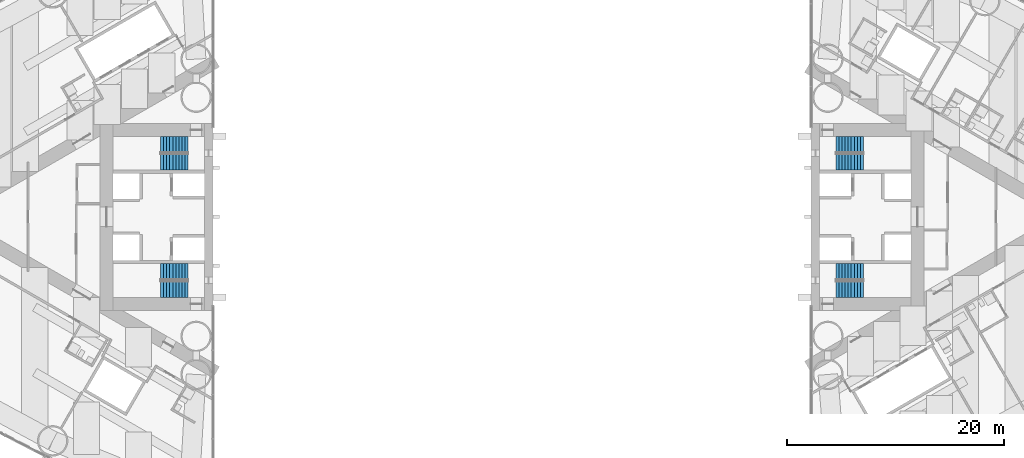
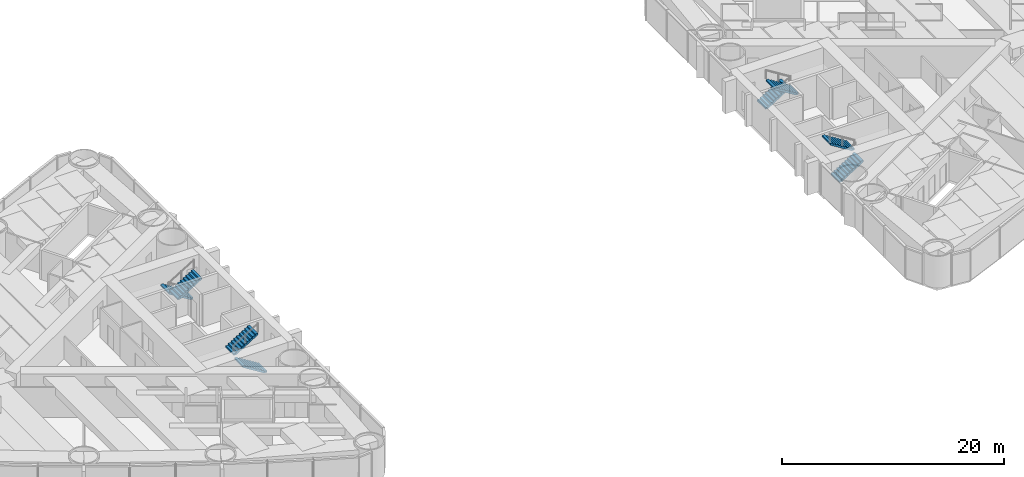
# One storey, part 16 of 18: 8 stair flights, 4 elements without a shape of their own.
"""IFC4 building model written with IfcOpenShell, lengths in metres."""

from ifc_helpers import new_model, si_unit, direction, frame, origin, place, context, subcontext, project, spatial, polyline, outline, extrude, material, type_object, element, aggregate, save


model = new_model("IFC4")

# Units and contexts
model_context = context("Model", 3, precision=1e-05, world=origin(), true_north=direction((0.0, 1.0)))
body_context = subcontext(model_context, "Body", "Model", "MODEL_VIEW")
ifc_project = project(units=[si_unit("LENGTHUNIT", "METRE"), si_unit("AREAUNIT", "SQUARE_METRE"), si_unit("VOLUMEUNIT", "CUBIC_METRE"), si_unit("PLANEANGLEUNIT", "RADIAN"), si_unit("MASSUNIT", "GRAM", prefix="KILO")], contexts=[model_context])

# Site, building, storey
site_placement = place(None, origin())
site = spatial("IfcSite", under=ifc_project, at=site_placement, CompositionType="ELEMENT")
building_placement = place(site_placement, origin())
building = spatial("IfcBuilding", under=site, at=building_placement, Name="Lancet Gate Hotel", CompositionType="ELEMENT")
storey_placement = place(building_placement, frame((0.0, 0.0, 46.0)))
storey = spatial("IfcBuildingStorey", under=building, at=storey_placement, Name="L11", CompositionType="ELEMENT", Elevation=46.0)

# Stair, stair flights
ifc_material_1 = material(Name="Exit stair 20 risers 1500")
stair_type = type_object("IfcStairType", Name="Exit stair 20 risers 1500", PredefinedType="HALF_TURN_STAIR", material=ifc_material_1)
stair_1_placement = place(storey_placement, origin())
stair_1 = element("IfcStair", 1, at=stair_1_placement, inside=storey, type_object=stair_type, Name="T1 stair 1 L11", PredefinedType="HALF_TURN_STAIR")
ifc_material_2 = material(Name="Stair flight 10 risers 175 rise 1500")
stair_flight_type = type_object("IfcStairFlightType", Name="Stair flight 10 risers 175 rise 1500", PredefinedType="STRAIGHT", material=ifc_material_2)
stair_flight_1_placement = place(storey_placement, frame((-29.800048828125, 6.64990234375, 0.0), z_axis=(0.0, 0.0, 1.0), x_axis=(-1.0, 0.0, 0.0)))
stair_flight_1 = element("IfcStairFlight", 2, at=stair_flight_1_placement, type_object=stair_flight_type, Name="ST1 flight 1", NumberOfRisers=10, NumberOfTreads=9, PredefinedType="STRAIGHT", RiserHeight=0.175, TreadLength=0.28, context=body_context, shape_type="SweptSolid", body=[
    extrude(outline(polyline([(0.0, 0.0), (0.0, 0.175048828125), (0.280029296875, 0.175048828125), (0.280029296875, 0.35009765625), (0.56005859375, 0.35009765625), (0.56005859375, 0.52490234375), (0.840087890625, 0.52490234375), (0.840087890625, 0.699951171875), (1.1201171875, 0.699951171875), (1.1201171875, 0.875), (1.39990234375, 0.875), (1.39990234375, 1.050048828125), (1.679931640625, 1.050048828125), (1.679931640625, 1.22509765625), (1.9599609375, 1.22509765625), (1.9599609375, 1.39990234375), (2.239990234375, 1.39990234375), (2.239990234375, 1.574951171875), (2.52001953125, 1.574951171875), (2.52001953125, 1.75), (2.52001953125, 1.398193359375), (0.28271484375, 0.0), (0.0, 0.0)])), frame((0.0, 0.75, 0.0), z_axis=(0.0, -1.0, 0.0), x_axis=(1.0, 0.0, 0.0)), (0.0, 0.0, 1.0), 1.5),
])
stair_flight_2_placement = place(storey_placement, frame((-32.320068359375, 5.050048828125, 1.75), z_axis=(0.0, 0.0, 1.0), x_axis=(1.0, 0.0, 0.0)))
stair_flight_2 = element("IfcStairFlight", 3, at=stair_flight_2_placement, type_object=stair_flight_type, Name="ST1 flight 2", NumberOfRisers=10, NumberOfTreads=9, PredefinedType="STRAIGHT", RiserHeight=0.175, TreadLength=0.28, context=body_context, shape_type="SweptSolid", body=[
    extrude(outline(polyline([(0.0, 0.0), (0.0, 0.175048828125), (0.280029296875, 0.175048828125), (0.280029296875, 0.35009765625), (0.56005859375, 0.35009765625), (0.56005859375, 0.52490234375), (0.840087890625, 0.52490234375), (0.840087890625, 0.699951171875), (1.1201171875, 0.699951171875), (1.1201171875, 0.875), (1.39990234375, 0.875), (1.39990234375, 1.050048828125), (1.679931640625, 1.050048828125), (1.679931640625, 1.22509765625), (1.9599609375, 1.22509765625), (1.9599609375, 1.39990234375), (2.239990234375, 1.39990234375), (2.239990234375, 1.574951171875), (2.52001953125, 1.574951171875), (2.52001953125, 1.75), (2.52001953125, 1.398193359375), (0.28271484375, 0.0), (0.0, 0.0)])), frame((0.0, 0.75, 0.0), z_axis=(0.0, -1.0, 0.0), x_axis=(1.0, 0.0, 0.0)), (0.0, 0.0, 1.0), 1.5),
])
aggregate(stair_1, [stair_flight_1, stair_flight_2])

stair_2_placement = place(storey_placement, origin())
stair_2 = element("IfcStair", 4, at=stair_2_placement, inside=storey, type_object=stair_type, Name="T1 stair 2 L11", PredefinedType="HALF_TURN_STAIR")
stair_flight_3_placement = place(storey_placement, frame((-29.800048828125, -6.64990234375, 0.0), z_axis=(0.0, 0.0, 1.0), x_axis=(-1.0, 0.0, 0.0)))
stair_flight_3 = element("IfcStairFlight", 5, at=stair_flight_3_placement, type_object=stair_flight_type, Name="ST2 flight 1", NumberOfRisers=10, NumberOfTreads=9, PredefinedType="STRAIGHT", RiserHeight=0.175, TreadLength=0.28, context=body_context, shape_type="SweptSolid", body=[
    extrude(outline(polyline([(0.0, 0.0), (0.0, 0.175048828125), (0.280029296875, 0.175048828125), (0.280029296875, 0.35009765625), (0.56005859375, 0.35009765625), (0.56005859375, 0.52490234375), (0.840087890625, 0.52490234375), (0.840087890625, 0.699951171875), (1.1201171875, 0.699951171875), (1.1201171875, 0.875), (1.39990234375, 0.875), (1.39990234375, 1.050048828125), (1.679931640625, 1.050048828125), (1.679931640625, 1.22509765625), (1.9599609375, 1.22509765625), (1.9599609375, 1.39990234375), (2.239990234375, 1.39990234375), (2.239990234375, 1.574951171875), (2.52001953125, 1.574951171875), (2.52001953125, 1.75), (2.52001953125, 1.398193359375), (0.28271484375, 0.0), (0.0, 0.0)])), frame((0.0, 0.75, 0.0), z_axis=(0.0, -1.0, 0.0), x_axis=(1.0, 0.0, 0.0)), (0.0, 0.0, 1.0), 1.5),
])
stair_flight_4_placement = place(storey_placement, frame((-32.320068359375, -5.050048828125, 1.75), z_axis=(0.0, 0.0, 1.0), x_axis=(1.0, 0.0, 0.0)))
stair_flight_4 = element("IfcStairFlight", 6, at=stair_flight_4_placement, type_object=stair_flight_type, Name="ST2 flight 2", NumberOfRisers=10, NumberOfTreads=9, PredefinedType="STRAIGHT", RiserHeight=0.175, TreadLength=0.28, context=body_context, shape_type="SweptSolid", body=[
    extrude(outline(polyline([(0.0, 0.0), (0.0, 0.175048828125), (0.280029296875, 0.175048828125), (0.280029296875, 0.35009765625), (0.56005859375, 0.35009765625), (0.56005859375, 0.52490234375), (0.840087890625, 0.52490234375), (0.840087890625, 0.699951171875), (1.1201171875, 0.699951171875), (1.1201171875, 0.875), (1.39990234375, 0.875), (1.39990234375, 1.050048828125), (1.679931640625, 1.050048828125), (1.679931640625, 1.22509765625), (1.9599609375, 1.22509765625), (1.9599609375, 1.39990234375), (2.239990234375, 1.39990234375), (2.239990234375, 1.574951171875), (2.52001953125, 1.574951171875), (2.52001953125, 1.75), (2.52001953125, 1.398193359375), (0.28271484375, 0.0), (0.0, 0.0)])), frame((0.0, 0.75, 0.0), z_axis=(0.0, -1.0, 0.0), x_axis=(1.0, 0.0, 0.0)), (0.0, 0.0, 1.0), 1.5),
])
aggregate(stair_2, [stair_flight_3, stair_flight_4])

stair_3_placement = place(storey_placement, origin())
stair_3 = element("IfcStair", 7, at=stair_3_placement, inside=storey, type_object=stair_type, Name="T2 stair 1 L11", PredefinedType="HALF_TURN_STAIR")
stair_flight_5_placement = place(storey_placement, frame((29.800048828125, -6.64990234375, 0.0), z_axis=(0.0, 0.0, 1.0), x_axis=(1.0, 0.0, 0.0)))
stair_flight_5 = element("IfcStairFlight", 8, at=stair_flight_5_placement, type_object=stair_flight_type, Name="ST3 flight 1", NumberOfRisers=10, NumberOfTreads=9, PredefinedType="STRAIGHT", RiserHeight=0.175, TreadLength=0.28, context=body_context, shape_type="SweptSolid", body=[
    extrude(outline(polyline([(0.0, 0.0), (0.0, 0.175048828125), (0.280029296875, 0.175048828125), (0.280029296875, 0.35009765625), (0.56005859375, 0.35009765625), (0.56005859375, 0.52490234375), (0.840087890625, 0.52490234375), (0.840087890625, 0.699951171875), (1.1201171875, 0.699951171875), (1.1201171875, 0.875), (1.39990234375, 0.875), (1.39990234375, 1.050048828125), (1.679931640625, 1.050048828125), (1.679931640625, 1.22509765625), (1.9599609375, 1.22509765625), (1.9599609375, 1.39990234375), (2.239990234375, 1.39990234375), (2.239990234375, 1.574951171875), (2.52001953125, 1.574951171875), (2.52001953125, 1.75), (2.52001953125, 1.398193359375), (0.28271484375, 0.0), (0.0, 0.0)])), frame((0.0, 0.75, 0.0), z_axis=(0.0, -1.0, 0.0), x_axis=(1.0, 0.0, 0.0)), (0.0, 0.0, 1.0), 1.5),
])
stair_flight_6_placement = place(storey_placement, frame((32.320068359375, -5.050048828125, 1.75), z_axis=(0.0, 0.0, 1.0), x_axis=(-1.0, 0.0, 0.0)))
stair_flight_6 = element("IfcStairFlight", 9, at=stair_flight_6_placement, type_object=stair_flight_type, Name="ST3 flight 2", NumberOfRisers=10, NumberOfTreads=9, PredefinedType="STRAIGHT", RiserHeight=0.175, TreadLength=0.28, context=body_context, shape_type="SweptSolid", body=[
    extrude(outline(polyline([(0.0, 0.0), (0.0, 0.175048828125), (0.280029296875, 0.175048828125), (0.280029296875, 0.35009765625), (0.56005859375, 0.35009765625), (0.56005859375, 0.52490234375), (0.840087890625, 0.52490234375), (0.840087890625, 0.699951171875), (1.1201171875, 0.699951171875), (1.1201171875, 0.875), (1.39990234375, 0.875), (1.39990234375, 1.050048828125), (1.679931640625, 1.050048828125), (1.679931640625, 1.22509765625), (1.9599609375, 1.22509765625), (1.9599609375, 1.39990234375), (2.239990234375, 1.39990234375), (2.239990234375, 1.574951171875), (2.52001953125, 1.574951171875), (2.52001953125, 1.75), (2.52001953125, 1.398193359375), (0.28271484375, 0.0), (0.0, 0.0)])), frame((0.0, 0.75, 0.0), z_axis=(0.0, -1.0, 0.0), x_axis=(1.0, 0.0, 0.0)), (0.0, 0.0, 1.0), 1.5),
])
aggregate(stair_3, [stair_flight_5, stair_flight_6])

stair_4_placement = place(storey_placement, origin())
stair_4 = element("IfcStair", 10, at=stair_4_placement, inside=storey, type_object=stair_type, Name="T2 stair 2 L11", PredefinedType="HALF_TURN_STAIR")
stair_flight_7_placement = place(storey_placement, frame((29.800048828125, 6.64990234375, 0.0), z_axis=(0.0, 0.0, 1.0), x_axis=(1.0, 0.0, 0.0)))
stair_flight_7 = element("IfcStairFlight", 11, at=stair_flight_7_placement, type_object=stair_flight_type, Name="ST4 flight 1", NumberOfRisers=10, NumberOfTreads=9, PredefinedType="STRAIGHT", RiserHeight=0.175, TreadLength=0.28, context=body_context, shape_type="SweptSolid", body=[
    extrude(outline(polyline([(0.0, 0.0), (0.0, 0.175048828125), (0.280029296875, 0.175048828125), (0.280029296875, 0.35009765625), (0.56005859375, 0.35009765625), (0.56005859375, 0.52490234375), (0.840087890625, 0.52490234375), (0.840087890625, 0.699951171875), (1.1201171875, 0.699951171875), (1.1201171875, 0.875), (1.39990234375, 0.875), (1.39990234375, 1.050048828125), (1.679931640625, 1.050048828125), (1.679931640625, 1.22509765625), (1.9599609375, 1.22509765625), (1.9599609375, 1.39990234375), (2.239990234375, 1.39990234375), (2.239990234375, 1.574951171875), (2.52001953125, 1.574951171875), (2.52001953125, 1.75), (2.52001953125, 1.398193359375), (0.28271484375, 0.0), (0.0, 0.0)])), frame((0.0, 0.75, 0.0), z_axis=(0.0, -1.0, 0.0), x_axis=(1.0, 0.0, 0.0)), (0.0, 0.0, 1.0), 1.5),
])
stair_flight_8_placement = place(storey_placement, frame((32.320068359375, 5.050048828125, 1.75), z_axis=(0.0, 0.0, 1.0), x_axis=(-1.0, 0.0, 0.0)))
stair_flight_8 = element("IfcStairFlight", 12, at=stair_flight_8_placement, type_object=stair_flight_type, Name="ST4 flight 2", NumberOfRisers=10, NumberOfTreads=9, PredefinedType="STRAIGHT", RiserHeight=0.175, TreadLength=0.28, context=body_context, shape_type="SweptSolid", body=[
    extrude(outline(polyline([(0.0, 0.0), (0.0, 0.175048828125), (0.280029296875, 0.175048828125), (0.280029296875, 0.35009765625), (0.56005859375, 0.35009765625), (0.56005859375, 0.52490234375), (0.840087890625, 0.52490234375), (0.840087890625, 0.699951171875), (1.1201171875, 0.699951171875), (1.1201171875, 0.875), (1.39990234375, 0.875), (1.39990234375, 1.050048828125), (1.679931640625, 1.050048828125), (1.679931640625, 1.22509765625), (1.9599609375, 1.22509765625), (1.9599609375, 1.39990234375), (2.239990234375, 1.39990234375), (2.239990234375, 1.574951171875), (2.52001953125, 1.574951171875), (2.52001953125, 1.75), (2.52001953125, 1.398193359375), (0.28271484375, 0.0), (0.0, 0.0)])), frame((0.0, 0.75, 0.0), z_axis=(0.0, -1.0, 0.0), x_axis=(1.0, 0.0, 0.0)), (0.0, 0.0, 1.0), 1.5),
])
aggregate(stair_4, [stair_flight_7, stair_flight_8])

save(model, "model.ifc")
